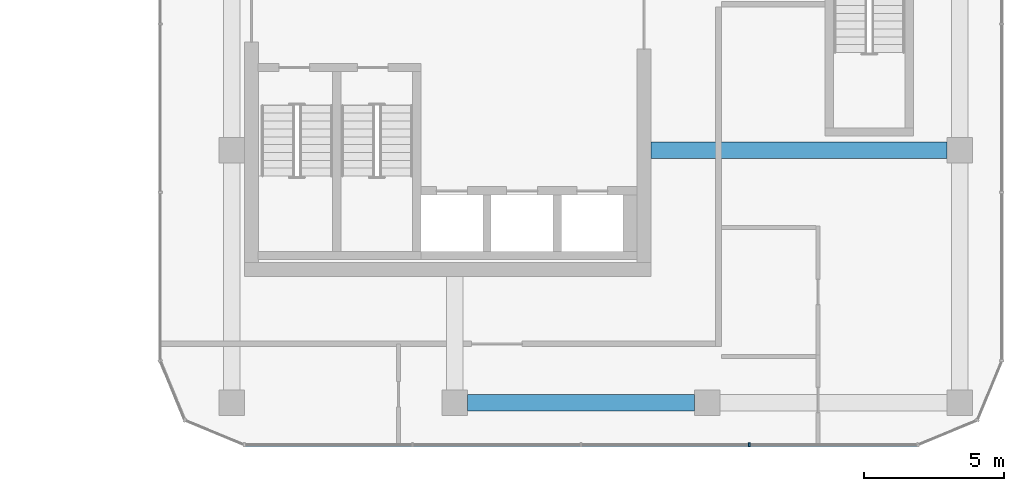
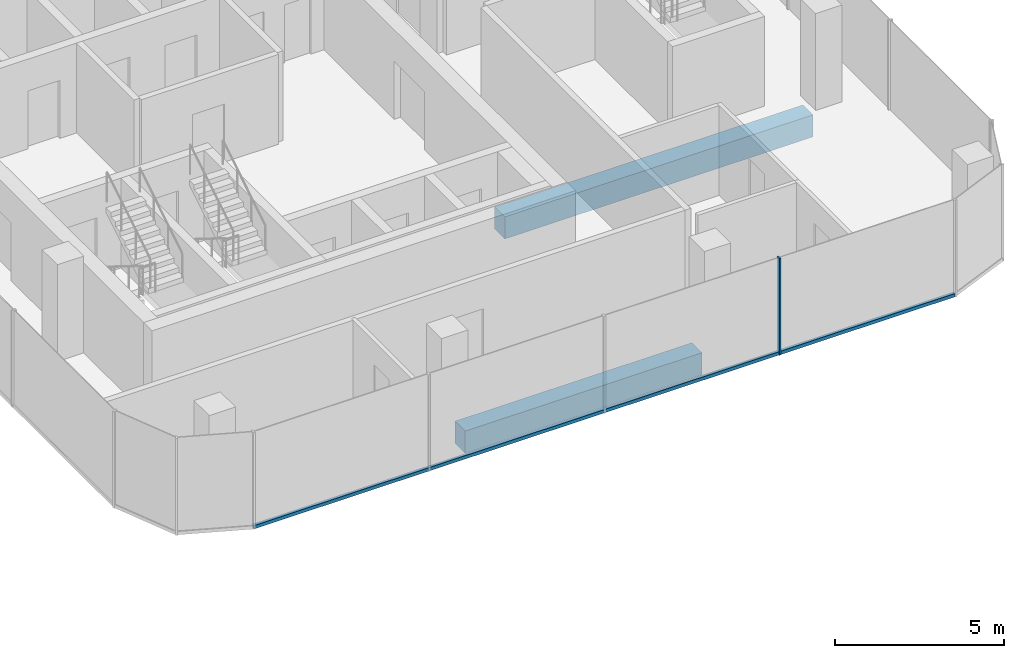
# One storey, part 9 of 24: 2 beams, 2 members, 1 element without a shape of its own.
"""IFC4 building model written with IfcOpenShell, lengths in metres."""

from ifc_helpers import new_model, si_unit, direction, frame, origin, origin_2d, place, context, subcontext, project, spatial, rectangle, extrude, material, layer, layer_set, material_profile, profile_set, type_object, element, aggregate, save


model = new_model("IFC4")

# Units and contexts
model_context = context("Model", 3, precision=1e-05, world=origin(), true_north=direction((0.0, 1.0)))
body_context = subcontext(model_context, "Body", "Model", "MODEL_VIEW")
ifc_project = project(units=[si_unit("LENGTHUNIT", "METRE"), si_unit("AREAUNIT", "SQUARE_METRE"), si_unit("VOLUMEUNIT", "CUBIC_METRE"), si_unit("PLANEANGLEUNIT", "RADIAN"), si_unit("MASSUNIT", "GRAM", prefix="KILO")], contexts=[model_context])

# Site, building, storey
site_placement = place(None, origin())
site = spatial("IfcSite", under=ifc_project, at=site_placement, CompositionType="ELEMENT")
building_placement = place(site_placement, origin())
building = spatial("IfcBuilding", under=site, at=building_placement, Name="Plateau Cross Towers", CompositionType="ELEMENT")
storey_placement = place(building_placement, frame((0.0, 0.0, 47.800048828125)))
storey = spatial("IfcBuildingStorey", under=building, at=storey_placement, Name="L11", CompositionType="ELEMENT", Elevation=47.800048828125)

# Beam
ifc_material_1 = material(Name="Concrete C60/75", Category="concrete")
ifc_material_profile_1 = material_profile(ifc_material_1, rectangle(XDim=0.60009765625, YDim=0.800048828125, at=origin_2d()), Name="RC 600x800")
ifc_profile_set_1 = profile_set([ifc_material_profile_1], Name="Concrete C60/75")
beam_type_1 = type_object("IfcBeamType", Name="Core beam RC 600x800", PredefinedType="BEAM", material=ifc_profile_set_1)
beam_1_placement = place(storey_placement, frame((89.5, 4.5, -0.650146484375), z_axis=(1.0, 0.0, 0.0), x_axis=(0.0, 1.0, 0.0)))
element("IfcBeam", 1, at=beam_1_placement, inside=storey, type_object=beam_type_1, Name="B-CB02@L11", PredefinedType="BEAM", context=body_context, shape_type="SweptSolid", body=[
    extrude(rectangle(XDim=0.60009765625, YDim=0.800048828125, at=origin_2d()), origin(), (0.0, 0.0, 1.0), 10.550048828125),
])

# Curtain wall, member
ifc_material_2 = material(Name="Dark low-iron glass", Category="glass")
ifc_layer = layer(ifc_material_2, 0.239990234375)
ifc_layer_set = layer_set([ifc_layer], Name="Dark low-iron glass")
curtain_wall_type = type_object("IfcCurtainWallType", Name="Curtain wall office unitised CW-F", PredefinedType="NOTDEFINED", material=ifc_layer_set)
curtain_wall_placement = place(storey_placement, origin())
curtain_wall = element("IfcCurtainWall", 2, at=curtain_wall_placement, inside=storey, type_object=curtain_wall_type, Name="ENV/B/L11/B750_-60", PredefinedType="NOTDEFINED")
ifc_material_3 = material(Name="Black anodised aluminium", Category="aluminium")
ifc_material_profile_2 = material_profile(ifc_material_3, rectangle(XDim=0.06005859375, YDim=0.139892578125, at=origin_2d()), Name="MULLION 60x140")
ifc_profile_set_2 = profile_set([ifc_material_profile_2], Name="Black anodised aluminium")
member_type_1 = type_object("IfcMemberType", Name="Mullion 60x140 office unitised", PredefinedType="MULLION", material=ifc_profile_set_2)
member_1_placement = place(storey_placement, frame((93.0, -6.0, -0.25), z_axis=(0.0, 0.0, 1.0), x_axis=(1.0, 0.0, 0.0)))
member_1 = element("IfcMember", 3, at=member_1_placement, type_object=member_type_1, Name="CW-F mullion 4", PredefinedType="MULLION", context=body_context, shape_type="SweptSolid", body=[
    extrude(rectangle(XDim=0.06005859375, YDim=0.139892578125, at=origin_2d()), origin(), (0.0, 0.0, 1.0), 3.5),
])

# Beam
ifc_material_profile_3 = material_profile(ifc_material_1, rectangle(XDim=0.60009765625, YDim=0.800048828125, at=origin_2d()), Name="RC 600x800")
ifc_profile_set_3 = profile_set([ifc_material_profile_3], Name="Concrete C60/75")
beam_type_2 = type_object("IfcBeamType", Name="Ring beam RC 600x800", PredefinedType="BEAM", material=ifc_profile_set_3)
beam_2_placement = place(storey_placement, frame((82.949951171875, -4.5, -0.650146484375), z_axis=(1.0, 0.0, 0.0), x_axis=(0.0, 1.0, 0.0)))
element("IfcBeam", 4, at=beam_2_placement, inside=storey, type_object=beam_type_2, Name="B-RB01@L11", PredefinedType="BEAM", context=body_context, shape_type="SweptSolid", body=[
    extrude(rectangle(XDim=0.60009765625, YDim=0.800048828125, at=origin_2d()), origin(), (0.0, 0.0, 1.0), 8.10009765625),
])

# Member
ifc_material_profile_4 = material_profile(ifc_material_3, rectangle(XDim=0.10009765625, YDim=0.1201171875, at=origin_2d()), Name="TRANSOM 100x120")
ifc_profile_set_4 = profile_set([ifc_material_profile_4], Name="Black anodised aluminium")
member_type_2 = type_object("IfcMemberType", Name="Transom 100x120 office unitised", PredefinedType="USERDEFINED", material=ifc_profile_set_4)
member_2_placement = place(storey_placement, frame((75.0, -6.0, -0.18994140625), z_axis=(1.0, 0.0, 0.0), x_axis=(0.0, 1.0, 0.0)))
member_2 = element("IfcMember", 5, at=member_2_placement, type_object=member_type_2, Name="CW-F transom", ObjectType="TRANSOM", PredefinedType="USERDEFINED", context=body_context, shape_type="SweptSolid", body=[
    extrude(rectangle(XDim=0.10009765625, YDim=0.1201171875, at=origin_2d()), origin(), (0.0, 0.0, 1.0), 24.0),
])

aggregate(curtain_wall, [member_1, member_2])

save(model, "model.ifc")
